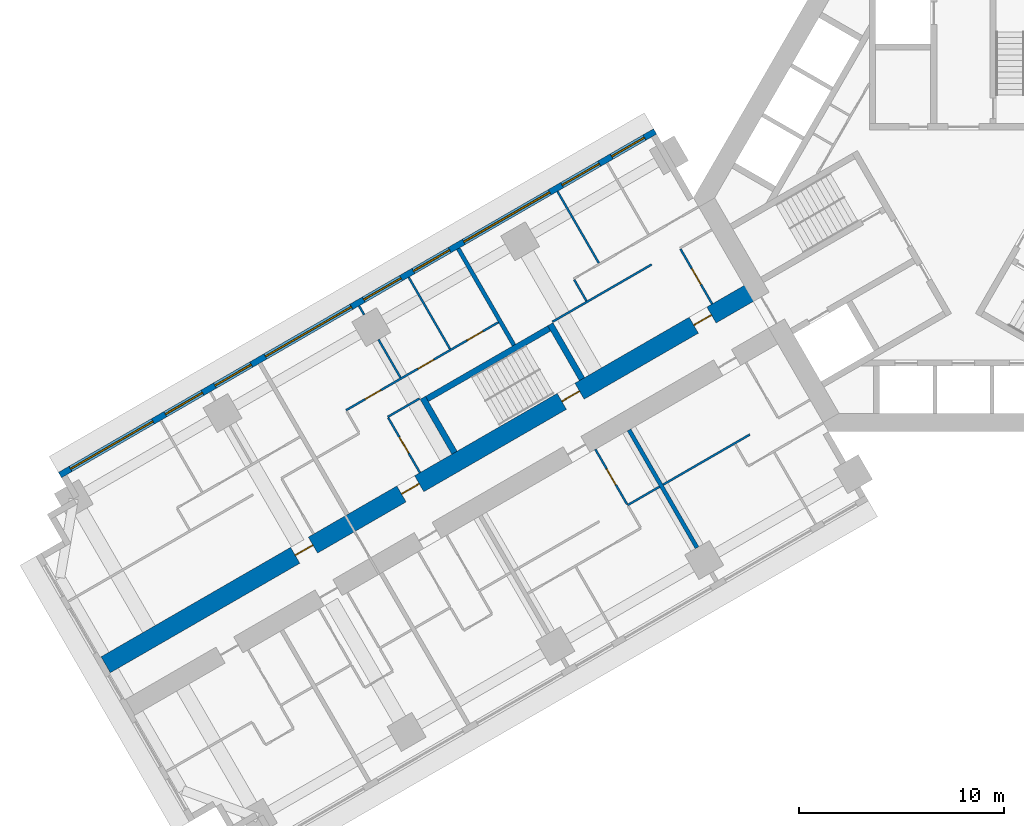
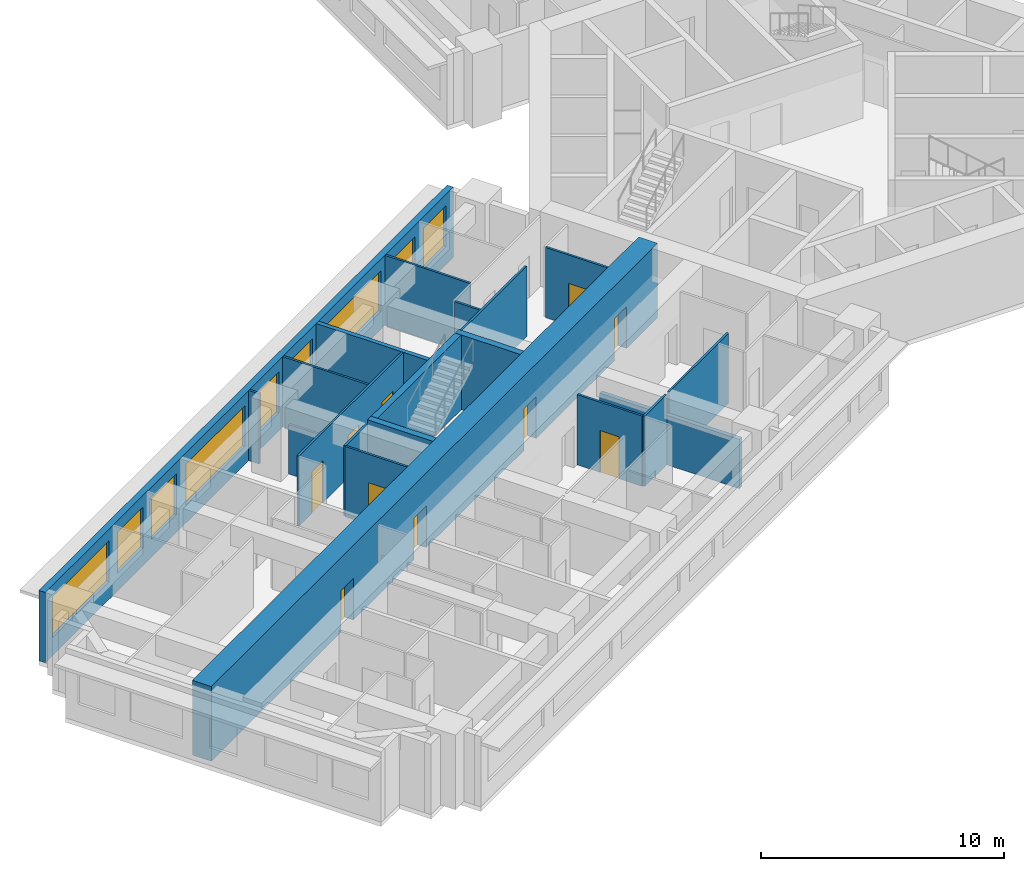
# One storey, part 5 of 16: 20 walls, 10 doors, 9 windows, 19 openings.
"""IFC4 building model written with IfcOpenShell, lengths in metres."""

from ifc_helpers import new_model, si_unit, direction, frame, frame_2d, origin, place, context, subcontext, project, spatial, rectangle, extrude, material, layer, layer_set, type_object, element, fill, save


model = new_model("IFC4")

# Units and contexts
model_context = context("Model", 3, precision=1e-05, world=origin(), true_north=direction((0.0, 1.0)))
body_context = subcontext(model_context, "Body", "Model", "MODEL_VIEW")
ifc_project = project(units=[si_unit("LENGTHUNIT", "METRE"), si_unit("AREAUNIT", "SQUARE_METRE"), si_unit("VOLUMEUNIT", "CUBIC_METRE"), si_unit("PLANEANGLEUNIT", "RADIAN"), si_unit("MASSUNIT", "GRAM", prefix="KILO")], contexts=[model_context])

# Site, building, storey
site_placement = place(None, origin())
site = spatial("IfcSite", under=ifc_project, at=site_placement, CompositionType="ELEMENT")
building_placement = place(site_placement, origin())
building = spatial("IfcBuilding", under=site, at=building_placement, Name="Impinga Residences", CompositionType="ELEMENT")
storey_placement = place(building_placement, frame((0.0, 0.0, 74.75)))
storey = spatial("IfcBuildingStorey", under=building, at=storey_placement, Name="L18", CompositionType="ELEMENT", Elevation=74.75)

# Wall, openings, doors
ifc_material_1 = material(Name="Concrete C70/85", Category="concrete")
ifc_layer_1 = layer(ifc_material_1, 0.89990234375)
ifc_layer_set_1 = layer_set([ifc_layer_1], Name="Concrete C70/85")
wall_type_1 = type_object("IfcWallType", Name="BW1 corridor buttress wall, L05 to L22 900", PredefinedType="SHEAR", material=ifc_layer_set_1)
wall_1_placement = place(storey_placement, frame((-10.1103515625, -4.451416015625, 0.0), z_axis=(0.0, 0.0, 1.0), x_axis=(-0.866025284237, -0.500000207062, 0.0)))
wall_1 = element("IfcWall", 1, at=wall_1_placement, inside=storey, type_object=wall_type_1, Name="Corridor wall BW1 WD L18", PredefinedType="SHEAR", context=body_context, shape_type="SweptSolid", body=[
    extrude(rectangle(XDim=36.75, YDim=0.89990234375, at=frame_2d((18.375, 0.0))), origin(), (0.0, 0.0, 1.0), 3.75),
])
opening_1_placement = place(wall_1_placement, frame((10.0, 0.0, 0.0)))
opening_1 = element("IfcOpeningElement", 2, at=opening_1_placement, cuts=wall_1, Name="Opening D5", PredefinedType="OPENING", context=body_context, shape_type="SweptSolid", body=[
    extrude(rectangle(XDim=1.0, YDim=2.10009765625, at=frame_2d((0.5, 1.050048828125))), frame((0.0, 0.4599609375, 0.0), z_axis=(0.0, -1.0, 0.0), x_axis=(1.0, 0.0, 0.0)), (0.0, 0.0, 1.0), 0.919921875),
])
opening_2_placement = place(wall_1_placement, frame((2.550048828125, 0.0, 0.0)))
opening_2 = element("IfcOpeningElement", 3, at=opening_2_placement, cuts=wall_1, Name="Opening D1", PredefinedType="OPENING", context=body_context, shape_type="SweptSolid", body=[
    extrude(rectangle(XDim=1.0, YDim=2.10009765625, at=frame_2d((0.5, 1.050048828125))), frame((0.0, 0.4599609375, 0.0), z_axis=(0.0, -1.0, 0.0), x_axis=(1.0, 0.0, 0.0)), (0.0, 0.0, 1.0), 0.919921875),
])
opening_3_placement = place(wall_1_placement, frame((19.050048828125, 0.0, 0.0)))
opening_3 = element("IfcOpeningElement", 4, at=opening_3_placement, cuts=wall_1, Name="Opening D1", PredefinedType="OPENING", context=body_context, shape_type="SweptSolid", body=[
    extrude(rectangle(XDim=1.0, YDim=2.10009765625, at=frame_2d((0.5, 1.050048828125))), frame((0.0, 0.4599609375, 0.0), z_axis=(0.0, -1.0, 0.0), x_axis=(1.0, 0.0, 0.0)), (0.0, 0.0, 1.0), 0.919921875),
])
opening_4_placement = place(wall_1_placement, frame((25.050048828125, 0.0, 0.0)))
opening_4 = element("IfcOpeningElement", 5, at=opening_4_placement, cuts=wall_1, Name="Opening D1", PredefinedType="OPENING", context=body_context, shape_type="SweptSolid", body=[
    extrude(rectangle(XDim=1.0, YDim=2.10009765625, at=frame_2d((0.5, 1.050048828125))), frame((0.0, 0.4599609375, 0.0), z_axis=(0.0, -1.0, 0.0), x_axis=(1.0, 0.0, 0.0)), (0.0, 0.0, 1.0), 0.919921875),
])
ifc_material_2 = material(Name="Timber door set", Category="wood")
door_type_1 = type_object("IfcDoorType", Name="D1 apartment entrance door 1000x2100", OperationType="SINGLE_SWING_LEFT", PredefinedType="DOOR", material=ifc_material_2)
door_1_placement = place(opening_2_placement, origin())
door_1 = element("IfcDoor", 6, at=door_1_placement, inside=storey, type_object=door_type_1, Name="Apartment L18-WF1 entrance", OperationType="SINGLE_SWING_LEFT", OverallHeight=2.10009765625, OverallWidth=1.0, PredefinedType="DOOR", context=body_context, shape_type="SweptSolid", body=[
    extrude(rectangle(XDim=1.0, YDim=2.10009765625, at=frame_2d((0.5, 1.050048828125))), frame((0.0, 0.02490234375, 0.0), z_axis=(0.0, -1.0, 0.0), x_axis=(1.0, 0.0, 0.0)), (0.0, 0.0, 1.0), 0.050048828125),
])
fill(opening_2, door_1)
door_2_placement = place(opening_3_placement, origin())
door_2 = element("IfcDoor", 7, at=door_2_placement, inside=storey, type_object=door_type_1, Name="Apartment L18-WF2 entrance", OperationType="SINGLE_SWING_RIGHT", OverallHeight=2.10009765625, OverallWidth=1.0, PredefinedType="DOOR", context=body_context, shape_type="SweptSolid", body=[
    extrude(rectangle(XDim=1.0, YDim=2.10009765625, at=frame_2d((0.5, 1.050048828125))), frame((0.0, 0.02490234375, 0.0), z_axis=(0.0, -1.0, 0.0), x_axis=(1.0, 0.0, 0.0)), (0.0, 0.0, 1.0), 0.050048828125),
])
fill(opening_3, door_2)
door_3_placement = place(opening_4_placement, origin())
door_3 = element("IfcDoor", 8, at=door_3_placement, inside=storey, type_object=door_type_1, Name="Apartment L18-WF3 entrance", OperationType="SINGLE_SWING_RIGHT", OverallHeight=2.10009765625, OverallWidth=1.0, PredefinedType="DOOR", context=body_context, shape_type="SweptSolid", body=[
    extrude(rectangle(XDim=1.0, YDim=2.10009765625, at=frame_2d((0.5, 1.050048828125))), frame((0.0, 0.02490234375, 0.0), z_axis=(0.0, -1.0, 0.0), x_axis=(1.0, 0.0, 0.0)), (0.0, 0.0, 1.0), 0.050048828125),
])
fill(opening_4, door_3)
door_type_2 = type_object("IfcDoorType", Name="D5 stair door 1000x2100", OperationType="SINGLE_SWING_LEFT", PredefinedType="DOOR", material=ifc_material_2)
door_4_placement = place(opening_1_placement, origin())
door_4 = element("IfcDoor", 9, at=door_4_placement, inside=storey, type_object=door_type_2, Name="Wing stair door W", OperationType="SINGLE_SWING_LEFT", OverallHeight=2.10009765625, OverallWidth=1.0, PredefinedType="DOOR", context=body_context, shape_type="SweptSolid", body=[
    extrude(rectangle(XDim=1.0, YDim=2.10009765625, at=frame_2d((0.5, 1.050048828125))), frame((0.0, 0.02490234375, 0.0), z_axis=(0.0, -1.0, 0.0), x_axis=(1.0, 0.0, 0.0)), (0.0, 0.0, 1.0), 0.050048828125),
])
fill(opening_1, door_4)

# Wall, openings, windows
ifc_material_3 = material(Name="Terracotta rainscreen on blockwork", Category="masonry")
ifc_layer_2 = layer(ifc_material_3, 0.300048828125)
ifc_layer_set_2 = layer_set([ifc_layer_2], Name="EW1 external wall, terracotta rainscreen on blockwork 300")
wall_type_2 = type_object("IfcWallType", Name="EW1 external wall, terracotta rainscreen on blockwork 300", PredefinedType="SOLIDWALL", material=ifc_layer_set_2)
wall_2_placement = place(storey_placement, frame((-44.17333984375, -13.552490234375, 0.0), z_axis=(0.0, 0.0, 1.0), x_axis=(0.866024291668, 0.500001926238, 0.0)))
wall_2 = element("IfcWall", 10, at=wall_2_placement, inside=storey, type_object=wall_type_2, Name="External wall EW1 L18", PredefinedType="SOLIDWALL", context=body_context, shape_type="SweptSolid", body=[
    extrude(rectangle(XDim=33.599853515625, YDim=0.300048828125, at=frame_2d((16.7998046875, 0.0))), origin(), (0.0, 0.0, 1.0), 3.530029296875),
])
opening_5_placement = place(wall_2_placement, frame((0.60009765625, 0.0, 0.89990234375)))
opening_5 = element("IfcOpeningElement", 11, at=opening_5_placement, cuts=wall_2, Name="Opening W10", PredefinedType="OPENING", context=body_context, shape_type="SweptSolid", body=[
    extrude(rectangle(XDim=4.64990234375, YDim=2.050048828125, at=frame_2d((2.324951171875, 1.02490234375))), frame((0.0, 0.159912109375, 0.0), z_axis=(0.0, -1.0, 0.0), x_axis=(1.0, 0.0, 0.0)), (0.0, 0.0, 1.0), 0.320068359375),
])
opening_6_placement = place(wall_2_placement, frame((5.949951171875, 0.0, 0.89990234375)))
opening_6 = element("IfcOpeningElement", 12, at=opening_6_placement, cuts=wall_2, Name="Opening W9", PredefinedType="OPENING", context=body_context, shape_type="SweptSolid", body=[
    extrude(rectangle(XDim=2.10009765625, YDim=2.050048828125, at=frame_2d((1.050048828125, 1.02490234375))), frame((0.0, 0.159912109375, 0.0), z_axis=(0.0, -1.0, 0.0), x_axis=(1.0, 0.0, 0.0)), (0.0, 0.0, 1.0), 0.320068359375),
])
opening_7_placement = place(wall_2_placement, frame((8.75, 0.0, 0.89990234375)))
opening_7 = element("IfcOpeningElement", 13, at=opening_7_placement, cuts=wall_2, Name="Opening W14", PredefinedType="OPENING", context=body_context, shape_type="SweptSolid", body=[
    extrude(rectangle(XDim=2.050048828125, YDim=2.050048828125, at=frame_2d((1.02490234375, 1.02490234375))), frame((0.0, 0.159912109375, 0.0), z_axis=(0.0, -1.0, 0.0), x_axis=(1.0, 0.0, 0.0)), (0.0, 0.0, 1.0), 0.320068359375),
])
opening_8_placement = place(wall_2_placement, frame((11.60009765625, 0.0, 0.89990234375)))
opening_8 = element("IfcOpeningElement", 14, at=opening_8_placement, cuts=wall_2, Name="Opening W6", PredefinedType="OPENING", context=body_context, shape_type="SweptSolid", body=[
    extrude(rectangle(XDim=4.85009765625, YDim=2.050048828125, at=frame_2d((2.425048828125, 1.02490234375))), frame((0.0, 0.159912109375, 0.0), z_axis=(0.0, -1.0, 0.0), x_axis=(1.0, 0.0, 0.0)), (0.0, 0.0, 1.0), 0.320068359375),
])
opening_9_placement = place(wall_2_placement, frame((17.14990234375, 0.0, 0.89990234375)))
opening_9 = element("IfcOpeningElement", 15, at=opening_9_placement, cuts=wall_2, Name="Opening W9", PredefinedType="OPENING", context=body_context, shape_type="SweptSolid", body=[
    extrude(rectangle(XDim=2.10009765625, YDim=2.050048828125, at=frame_2d((1.050048828125, 1.02490234375))), frame((0.0, 0.159912109375, 0.0), z_axis=(0.0, -1.0, 0.0), x_axis=(1.0, 0.0, 0.0)), (0.0, 0.0, 1.0), 0.320068359375),
])
opening_10_placement = place(wall_2_placement, frame((19.949951171875, 0.0, 0.89990234375)))
opening_10 = element("IfcOpeningElement", 16, at=opening_10_placement, cuts=wall_2, Name="Opening W14", PredefinedType="OPENING", context=body_context, shape_type="SweptSolid", body=[
    extrude(rectangle(XDim=2.050048828125, YDim=2.050048828125, at=frame_2d((1.02490234375, 1.02490234375))), frame((0.0, 0.159912109375, 0.0), z_axis=(0.0, -1.0, 0.0), x_axis=(1.0, 0.0, 0.0)), (0.0, 0.0, 1.0), 0.320068359375),
])
opening_11_placement = place(wall_2_placement, frame((22.800048828125, 0.0, 0.89990234375)))
opening_11 = element("IfcOpeningElement", 17, at=opening_11_placement, cuts=wall_2, Name="Opening W6", PredefinedType="OPENING", context=body_context, shape_type="SweptSolid", body=[
    extrude(rectangle(XDim=4.85009765625, YDim=2.050048828125, at=frame_2d((2.425048828125, 1.02490234375))), frame((0.0, 0.159912109375, 0.0), z_axis=(0.0, -1.0, 0.0), x_axis=(1.0, 0.0, 0.0)), (0.0, 0.0, 1.0), 0.320068359375),
])
opening_12_placement = place(wall_2_placement, frame((28.35009765625, 0.0, 0.89990234375)))
opening_12 = element("IfcOpeningElement", 18, at=opening_12_placement, cuts=wall_2, Name="Opening W9", PredefinedType="OPENING", context=body_context, shape_type="SweptSolid", body=[
    extrude(rectangle(XDim=2.10009765625, YDim=2.050048828125, at=frame_2d((1.050048828125, 1.02490234375))), frame((0.0, 0.159912109375, 0.0), z_axis=(0.0, -1.0, 0.0), x_axis=(1.0, 0.0, 0.0)), (0.0, 0.0, 1.0), 0.320068359375),
])
opening_13_placement = place(wall_2_placement, frame((31.14990234375, 0.0, 0.89990234375)))
opening_13 = element("IfcOpeningElement", 19, at=opening_13_placement, cuts=wall_2, Name="Opening W15", PredefinedType="OPENING", context=body_context, shape_type="SweptSolid", body=[
    extrude(rectangle(XDim=1.85009765625, YDim=2.050048828125, at=frame_2d((0.925048828125, 1.02490234375))), frame((0.0, 0.159912109375, 0.0), z_axis=(0.0, -1.0, 0.0), x_axis=(1.0, 0.0, 0.0)), (0.0, 0.0, 1.0), 0.320068359375),
])
ifc_material_4 = material(Name="Aluminium window, clear double glazing", Category="aluminium")
window_type_1 = type_object("IfcWindowType", Name="W10 ribbon window 4650x2050", PartitioningType="SINGLE_PANEL", PredefinedType="WINDOW", material=ifc_material_4)
window_1_placement = place(opening_5_placement, origin())
window_1 = element("IfcWindow", 20, at=window_1_placement, inside=storey, type_object=window_type_1, Name="Window L18", OverallHeight=2.050048828125, OverallWidth=4.64990234375, PartitioningType="SINGLE_PANEL", PredefinedType="WINDOW", context=body_context, shape_type="SweptSolid", body=[
    extrude(rectangle(XDim=4.64990234375, YDim=2.050048828125, at=frame_2d((2.324951171875, 1.02490234375))), frame((0.0, 0.030029296875, 0.0), z_axis=(0.0, -1.0, 0.0), x_axis=(1.0, 0.0, 0.0)), (0.0, 0.0, 1.0), 0.06005859375),
])
fill(opening_5, window_1)
window_type_2 = type_object("IfcWindowType", Name="W14 ribbon window 2050x2050", PartitioningType="SINGLE_PANEL", PredefinedType="WINDOW", material=ifc_material_4)
window_2_placement = place(opening_7_placement, origin())
window_2 = element("IfcWindow", 21, at=window_2_placement, inside=storey, type_object=window_type_2, Name="Window L18", OverallHeight=2.050048828125, OverallWidth=2.050048828125, PartitioningType="SINGLE_PANEL", PredefinedType="WINDOW", context=body_context, shape_type="SweptSolid", body=[
    extrude(rectangle(XDim=2.050048828125, YDim=2.050048828125, at=frame_2d((1.02490234375, 1.02490234375))), frame((0.0, 0.030029296875, 0.0), z_axis=(0.0, -1.0, 0.0), x_axis=(1.0, 0.0, 0.0)), (0.0, 0.0, 1.0), 0.06005859375),
])
fill(opening_7, window_2)
window_3_placement = place(opening_10_placement, origin())
window_3 = element("IfcWindow", 22, at=window_3_placement, inside=storey, type_object=window_type_2, Name="Window L18", OverallHeight=2.050048828125, OverallWidth=2.050048828125, PartitioningType="SINGLE_PANEL", PredefinedType="WINDOW", context=body_context, shape_type="SweptSolid", body=[
    extrude(rectangle(XDim=2.050048828125, YDim=2.050048828125, at=frame_2d((1.02490234375, 1.02490234375))), frame((0.0, 0.030029296875, 0.0), z_axis=(0.0, -1.0, 0.0), x_axis=(1.0, 0.0, 0.0)), (0.0, 0.0, 1.0), 0.06005859375),
])
fill(opening_10, window_3)
window_type_3 = type_object("IfcWindowType", Name="W15 ribbon window 1850x2050", PartitioningType="SINGLE_PANEL", PredefinedType="WINDOW", material=ifc_material_4)
window_4_placement = place(opening_13_placement, origin())
window_4 = element("IfcWindow", 23, at=window_4_placement, inside=storey, type_object=window_type_3, Name="Window L18", OverallHeight=2.050048828125, OverallWidth=1.85009765625, PartitioningType="SINGLE_PANEL", PredefinedType="WINDOW", context=body_context, shape_type="SweptSolid", body=[
    extrude(rectangle(XDim=1.85009765625, YDim=2.050048828125, at=frame_2d((0.925048828125, 1.02490234375))), frame((0.0, 0.030029296875, 0.0), z_axis=(0.0, -1.0, 0.0), x_axis=(1.0, 0.0, 0.0)), (0.0, 0.0, 1.0), 0.06005859375),
])
fill(opening_13, window_4)
window_type_4 = type_object("IfcWindowType", Name="W6 ribbon window 4850x2050", PartitioningType="SINGLE_PANEL", PredefinedType="WINDOW", material=ifc_material_4)
window_5_placement = place(opening_8_placement, origin())
window_5 = element("IfcWindow", 24, at=window_5_placement, inside=storey, type_object=window_type_4, Name="Window L18", OverallHeight=2.050048828125, OverallWidth=4.85009765625, PartitioningType="SINGLE_PANEL", PredefinedType="WINDOW", context=body_context, shape_type="SweptSolid", body=[
    extrude(rectangle(XDim=4.85009765625, YDim=2.050048828125, at=frame_2d((2.425048828125, 1.02490234375))), frame((0.0, 0.030029296875, 0.0), z_axis=(0.0, -1.0, 0.0), x_axis=(1.0, 0.0, 0.0)), (0.0, 0.0, 1.0), 0.06005859375),
])
fill(opening_8, window_5)
window_6_placement = place(opening_11_placement, origin())
window_6 = element("IfcWindow", 25, at=window_6_placement, inside=storey, type_object=window_type_4, Name="Window L18", OverallHeight=2.050048828125, OverallWidth=4.85009765625, PartitioningType="SINGLE_PANEL", PredefinedType="WINDOW", context=body_context, shape_type="SweptSolid", body=[
    extrude(rectangle(XDim=4.85009765625, YDim=2.050048828125, at=frame_2d((2.425048828125, 1.02490234375))), frame((0.0, 0.030029296875, 0.0), z_axis=(0.0, -1.0, 0.0), x_axis=(1.0, 0.0, 0.0)), (0.0, 0.0, 1.0), 0.06005859375),
])
fill(opening_11, window_6)
window_type_5 = type_object("IfcWindowType", Name="W9 ribbon window 2100x2050", PartitioningType="SINGLE_PANEL", PredefinedType="WINDOW", material=ifc_material_4)
window_7_placement = place(opening_6_placement, origin())
window_7 = element("IfcWindow", 26, at=window_7_placement, inside=storey, type_object=window_type_5, Name="Window L18", OverallHeight=2.050048828125, OverallWidth=2.10009765625, PartitioningType="SINGLE_PANEL", PredefinedType="WINDOW", context=body_context, shape_type="SweptSolid", body=[
    extrude(rectangle(XDim=2.10009765625, YDim=2.050048828125, at=frame_2d((1.050048828125, 1.02490234375))), frame((0.0, 0.030029296875, 0.0), z_axis=(0.0, -1.0, 0.0), x_axis=(1.0, 0.0, 0.0)), (0.0, 0.0, 1.0), 0.06005859375),
])
fill(opening_6, window_7)
window_8_placement = place(opening_9_placement, origin())
window_8 = element("IfcWindow", 27, at=window_8_placement, inside=storey, type_object=window_type_5, Name="Window L18", OverallHeight=2.050048828125, OverallWidth=2.10009765625, PartitioningType="SINGLE_PANEL", PredefinedType="WINDOW", context=body_context, shape_type="SweptSolid", body=[
    extrude(rectangle(XDim=2.10009765625, YDim=2.050048828125, at=frame_2d((1.050048828125, 1.02490234375))), frame((0.0, 0.030029296875, 0.0), z_axis=(0.0, -1.0, 0.0), x_axis=(1.0, 0.0, 0.0)), (0.0, 0.0, 1.0), 0.06005859375),
])
fill(opening_9, window_8)
window_9_placement = place(opening_12_placement, origin())
window_9 = element("IfcWindow", 28, at=window_9_placement, inside=storey, type_object=window_type_5, Name="Window L18", OverallHeight=2.050048828125, OverallWidth=2.10009765625, PartitioningType="SINGLE_PANEL", PredefinedType="WINDOW", context=body_context, shape_type="SweptSolid", body=[
    extrude(rectangle(XDim=2.10009765625, YDim=2.050048828125, at=frame_2d((1.050048828125, 1.02490234375))), frame((0.0, 0.030029296875, 0.0), z_axis=(0.0, -1.0, 0.0), x_axis=(1.0, 0.0, 0.0)), (0.0, 0.0, 1.0), 0.06005859375),
])
fill(opening_12, window_9)

# Walls
ifc_material_5 = material(Name="Gypsum board on steel studs", Category="steel")
ifc_layer_3 = layer(ifc_material_5, 0.10009765625)
ifc_layer_set_3 = layer_set([ifc_layer_3], Name="Gypsum board on steel studs")
wall_type_3 = type_object("IfcWallType", Name="IP1 partition 100", PredefinedType="PARTITIONING", material=ifc_layer_set_3)
wall_3_placement = place(storey_placement, frame((-10.444580078125, -11.57275390625, 0.0), z_axis=(0.0, 0.0, 1.0), x_axis=(-0.866023786258, -0.500002801628, 0.0)))
element("IfcWall", 29, at=wall_3_placement, inside=storey, type_object=wall_type_3, Name="Partition L18-WA1:DIV1", PredefinedType="PARTITIONING", context=body_context, shape_type="SweptSolid", body=[
    extrude(rectangle(XDim=4.89990234375, YDim=0.10009765625, at=frame_2d((2.449951171875, 0.0))), origin(), (0.0, 0.0, 1.0), 3.530029296875),
])
wall_4_placement = place(storey_placement, frame((-14.861328125, -14.122802734375, 0.0), z_axis=(0.0, 0.0, 1.0), x_axis=(-0.866047807691, -0.499961193289, 0.0)))
element("IfcWall", 30, at=wall_4_placement, inside=storey, type_object=wall_type_3, Name="Partition L18-WA2:DIV0", PredefinedType="PARTITIONING", context=body_context, shape_type="SweptSolid", body=[
    extrude(rectangle(XDim=1.800048828125, YDim=0.10009765625, at=frame_2d((0.89990234375, 0.0))), origin(), (0.0, 0.0, 1.0), 3.530029296875),
])

# Wall, opening, door
wall_5_placement = place(storey_placement, frame((-17.9951171875, -12.294677734375, 0.0), z_axis=(0.0, 0.0, 1.0), x_axis=(0.49999285859, -0.86602952684, 0.0)))
wall_5 = element("IfcWall", 31, at=wall_5_placement, inside=storey, type_object=wall_type_3, Name="Partition L18-WA2:IB1", PredefinedType="PARTITIONING", context=body_context, shape_type="SweptSolid", body=[
    extrude(rectangle(XDim=3.10009765625, YDim=0.10009765625, at=frame_2d((1.550048828125, 0.0))), origin(), (0.0, 0.0, 1.0), 3.530029296875),
])
opening_14_placement = place(wall_5_placement, frame((1.10009765625, 0.0, 0.0)))
opening_14 = element("IfcOpeningElement", 32, at=opening_14_placement, cuts=wall_5, Name="Opening D2", PredefinedType="OPENING", context=body_context, shape_type="SweptSolid", body=[
    extrude(rectangle(XDim=0.89990234375, YDim=2.10009765625, at=frame_2d((0.449951171875, 1.050048828125))), frame((0.0, 0.06005859375, 0.0), z_axis=(0.0, -1.0, 0.0), x_axis=(1.0, 0.0, 0.0)), (0.0, 0.0, 1.0), 0.1201171875),
])
door_type_3 = type_object("IfcDoorType", Name="D2 internal door 900x2100", OperationType="SINGLE_SWING_LEFT", PredefinedType="DOOR", material=ifc_material_2)
door_5_placement = place(opening_14_placement, origin())
door_5 = element("IfcDoor", 33, at=door_5_placement, inside=storey, type_object=door_type_3, Name="Apartment L18-WA2 bathroom door", OperationType="SINGLE_SWING_LEFT", OverallHeight=2.10009765625, OverallWidth=0.89990234375, PredefinedType="DOOR", context=body_context, shape_type="SweptSolid", body=[
    extrude(rectangle(XDim=0.89990234375, YDim=2.10009765625, at=frame_2d((0.449951171875, 1.050048828125))), frame((0.0, 0.02490234375, 0.0), z_axis=(0.0, -1.0, 0.0), x_axis=(1.0, 0.0, 0.0)), (0.0, 0.0, 1.0), 0.050048828125),
])
fill(opening_14, door_5)

# Walls
wall_6_placement = place(storey_placement, frame((-15.244384765625, -3.2587890625, 0.0), z_axis=(0.0, 0.0, 1.0), x_axis=(-0.866026594901, -0.49999793692, 0.0)))
element("IfcWall", 34, at=wall_6_placement, inside=storey, type_object=wall_type_3, Name="Partition L18-WF1:DIV1", PredefinedType="PARTITIONING", context=body_context, shape_type="SweptSolid", body=[
    extrude(rectangle(XDim=5.60009765625, YDim=0.10009765625, at=frame_2d((2.800048828125, 0.0))), origin(), (0.0, 0.0, 1.0), 3.530029296875),
])
wall_7_placement = place(storey_placement, frame((-18.430419921875, -5.04052734375, 0.0), z_axis=(0.0, 0.0, 1.0), x_axis=(-0.500033551112, 0.866006032174, 0.0)))
element("IfcWall", 35, at=wall_7_placement, inside=storey, type_object=wall_type_3, Name="Partition L18-WF1:SE1", PredefinedType="PARTITIONING", context=body_context, shape_type="SweptSolid", body=[
    extrude(rectangle(XDim=1.2001953125, YDim=0.10009765625, at=frame_2d((0.60009765625, 0.0))), origin(), (0.0, 0.0, 1.0), 3.530029296875),
])

# Wall, opening, door
wall_8_placement = place(storey_placement, frame((-12.283935546875, -5.186767578125, 0.0), z_axis=(0.0, 0.0, 1.0), x_axis=(-0.499967891604, 0.866043940782, 0.0)))
wall_8 = element("IfcWall", 36, at=wall_8_placement, inside=storey, type_object=wall_type_3, Name="Partition L18-WF1:IB1", PredefinedType="PARTITIONING", context=body_context, shape_type="SweptSolid", body=[
    extrude(rectangle(XDim=3.099853515625, YDim=0.10009765625, at=frame_2d((1.5498046875, 0.0))), origin(), (0.0, 0.0, 1.0), 3.530029296875),
])
opening_15_placement = place(wall_8_placement, frame((1.10009765625, 0.0, 0.0)))
opening_15 = element("IfcOpeningElement", 37, at=opening_15_placement, cuts=wall_8, Name="Opening D2", PredefinedType="OPENING", context=body_context, shape_type="SweptSolid", body=[
    extrude(rectangle(XDim=0.89990234375, YDim=2.10009765625, at=frame_2d((0.449951171875, 1.050048828125))), frame((0.0, 0.06005859375, 0.0), z_axis=(0.0, -1.0, 0.0), x_axis=(1.0, 0.0, 0.0)), (0.0, 0.0, 1.0), 0.1201171875),
])
door_6_placement = place(opening_15_placement, origin())
door_6 = element("IfcDoor", 38, at=door_6_placement, inside=storey, type_object=door_type_3, Name="Apartment L18-WF1 bathroom door", OperationType="SINGLE_SWING_LEFT", OverallHeight=2.10009765625, OverallWidth=0.89990234375, PredefinedType="DOOR", context=body_context, shape_type="SweptSolid", body=[
    extrude(rectangle(XDim=0.89990234375, YDim=2.10009765625, at=frame_2d((0.449951171875, 1.050048828125))), frame((0.0, 0.02490234375, 0.0), z_axis=(0.0, -1.0, 0.0), x_axis=(1.0, 0.0, 0.0)), (0.0, 0.0, 1.0), 0.050048828125),
])
fill(opening_15, door_6)

# Walls
wall_9_placement = place(storey_placement, frame((-17.82470703125, -3.189697265625, 0.0), z_axis=(0.0, 0.0, 1.0), x_axis=(-0.500035537042, 0.866004885491, 0.0)))
element("IfcWall", 39, at=wall_9_placement, inside=storey, type_object=wall_type_3, Name="Partition L18-WF1:OB2", PredefinedType="PARTITIONING", context=body_context, shape_type="SweptSolid", body=[
    extrude(rectangle(XDim=4.050048828125, YDim=0.10009765625, at=frame_2d((2.02490234375, 0.0))), origin(), (0.0, 0.0, 1.0), 3.530029296875),
])
wall_10_placement = place(storey_placement, frame((-26.58935546875, -9.808837890625, 0.0), z_axis=(0.0, 0.0, 1.0), x_axis=(-0.866047807691, -0.499961193289, 0.0)))
element("IfcWall", 40, at=wall_10_placement, inside=storey, type_object=wall_type_3, Name="Partition L18-WF2:DIV0", PredefinedType="PARTITIONING", context=body_context, shape_type="SweptSolid", body=[
    extrude(rectangle(XDim=1.800048828125, YDim=0.10009765625, at=frame_2d((0.89990234375, 0.0))), origin(), (0.0, 0.0, 1.0), 3.530029296875),
])

# Wall, openings, doors
wall_11_placement = place(storey_placement, frame((-22.736083984375, -6.0830078125, 0.0), z_axis=(0.0, 0.0, 1.0), x_axis=(-0.866021068297, -0.500007509209, 0.0)))
wall_11 = element("IfcWall", 41, at=wall_11_placement, inside=storey, type_object=wall_type_3, Name="Partition L18-WF2:STRIP", PredefinedType="PARTITIONING", context=body_context, shape_type="SweptSolid", body=[
    extrude(rectangle(XDim=8.599853515625, YDim=0.10009765625, at=frame_2d((4.2998046875, 0.0))), origin(), (0.0, 0.0, 1.0), 3.530029296875),
])
opening_16_placement = place(wall_11_placement, frame((0.875, 0.0, 0.0)))
opening_16 = element("IfcOpeningElement", 42, at=opening_16_placement, cuts=wall_11, Name="Opening D2", PredefinedType="OPENING", context=body_context, shape_type="SweptSolid", body=[
    extrude(rectangle(XDim=0.89990234375, YDim=2.10009765625, at=frame_2d((0.449951171875, 1.050048828125))), frame((0.0, 0.06005859375, 0.0), z_axis=(0.0, -1.0, 0.0), x_axis=(1.0, 0.0, 0.0)), (0.0, 0.0, 1.0), 0.1201171875),
])
opening_17_placement = place(wall_11_placement, frame((3.64990234375, 0.0, 0.0)))
opening_17 = element("IfcOpeningElement", 43, at=opening_17_placement, cuts=wall_11, Name="Opening D2", PredefinedType="OPENING", context=body_context, shape_type="SweptSolid", body=[
    extrude(rectangle(XDim=0.89990234375, YDim=2.10009765625, at=frame_2d((0.449951171875, 1.050048828125))), frame((0.0, 0.06005859375, 0.0), z_axis=(0.0, -1.0, 0.0), x_axis=(1.0, 0.0, 0.0)), (0.0, 0.0, 1.0), 0.1201171875),
])
opening_18_placement = place(wall_11_placement, frame((6.625, 0.0, 0.0)))
opening_18 = element("IfcOpeningElement", 44, at=opening_18_placement, cuts=wall_11, Name="Opening D2", PredefinedType="OPENING", context=body_context, shape_type="SweptSolid", body=[
    extrude(rectangle(XDim=0.89990234375, YDim=2.10009765625, at=frame_2d((0.449951171875, 1.050048828125))), frame((0.0, 0.06005859375, 0.0), z_axis=(0.0, -1.0, 0.0), x_axis=(1.0, 0.0, 0.0)), (0.0, 0.0, 1.0), 0.1201171875),
])
door_7_placement = place(opening_16_placement, origin())
door_7 = element("IfcDoor", 45, at=door_7_placement, inside=storey, type_object=door_type_3, Name="Apartment L18-WF2 room door", OperationType="SINGLE_SWING_LEFT", OverallHeight=2.10009765625, OverallWidth=0.89990234375, PredefinedType="DOOR", context=body_context, shape_type="SweptSolid", body=[
    extrude(rectangle(XDim=0.89990234375, YDim=2.10009765625, at=frame_2d((0.449951171875, 1.050048828125))), frame((0.0, 0.02490234375, 0.0), z_axis=(0.0, -1.0, 0.0), x_axis=(1.0, 0.0, 0.0)), (0.0, 0.0, 1.0), 0.050048828125),
])
fill(opening_16, door_7)
door_8_placement = place(opening_17_placement, origin())
door_8 = element("IfcDoor", 46, at=door_8_placement, inside=storey, type_object=door_type_3, Name="Apartment L18-WF2 room door", OperationType="SINGLE_SWING_LEFT", OverallHeight=2.10009765625, OverallWidth=0.89990234375, PredefinedType="DOOR", context=body_context, shape_type="SweptSolid", body=[
    extrude(rectangle(XDim=0.89990234375, YDim=2.10009765625, at=frame_2d((0.449951171875, 1.050048828125))), frame((0.0, 0.02490234375, 0.0), z_axis=(0.0, -1.0, 0.0), x_axis=(1.0, 0.0, 0.0)), (0.0, 0.0, 1.0), 0.050048828125),
])
fill(opening_17, door_8)
door_9_placement = place(opening_18_placement, origin())
door_9 = element("IfcDoor", 47, at=door_9_placement, inside=storey, type_object=door_type_3, Name="Apartment L18-WF2 room door", OperationType="SINGLE_SWING_RIGHT", OverallHeight=2.10009765625, OverallWidth=0.89990234375, PredefinedType="DOOR", context=body_context, shape_type="SweptSolid", body=[
    extrude(rectangle(XDim=0.89990234375, YDim=2.10009765625, at=frame_2d((0.449951171875, 1.050048828125))), frame((0.0, 0.02490234375, 0.0), z_axis=(0.0, -1.0, 0.0), x_axis=(1.0, 0.0, 0.0)), (0.0, 0.0, 1.0), 0.050048828125),
])
fill(opening_18, door_9)

# Wall, opening, door
wall_12_placement = place(storey_placement, frame((-26.5732421875, -13.436767578125, 0.0), z_axis=(0.0, 0.0, 1.0), x_axis=(-0.500026960575, 0.86600983753, 0.0)))
wall_12 = element("IfcWall", 48, at=wall_12_placement, inside=storey, type_object=wall_type_3, Name="Partition L18-WF2:IB1", PredefinedType="PARTITIONING", context=body_context, shape_type="SweptSolid", body=[
    extrude(rectangle(XDim=3.099853515625, YDim=0.10009765625, at=frame_2d((1.5498046875, 0.0))), origin(), (0.0, 0.0, 1.0), 3.530029296875),
])
opening_19_placement = place(wall_12_placement, frame((1.10009765625, 0.0, 0.0)))
opening_19 = element("IfcOpeningElement", 49, at=opening_19_placement, cuts=wall_12, Name="Opening D2", PredefinedType="OPENING", context=body_context, shape_type="SweptSolid", body=[
    extrude(rectangle(XDim=0.89990234375, YDim=2.10009765625, at=frame_2d((0.449951171875, 1.050048828125))), frame((0.0, 0.06005859375, 0.0), z_axis=(0.0, -1.0, 0.0), x_axis=(1.0, 0.0, 0.0)), (0.0, 0.0, 1.0), 0.1201171875),
])
door_10_placement = place(opening_19_placement, origin())
door_10 = element("IfcDoor", 50, at=door_10_placement, inside=storey, type_object=door_type_3, Name="Apartment L18-WF2 bathroom door", OperationType="SINGLE_SWING_LEFT", OverallHeight=2.10009765625, OverallWidth=0.89990234375, PredefinedType="DOOR", context=body_context, shape_type="SweptSolid", body=[
    extrude(rectangle(XDim=0.89990234375, YDim=2.10009765625, at=frame_2d((0.449951171875, 1.050048828125))), frame((0.0, 0.02490234375, 0.0), z_axis=(0.0, -1.0, 0.0), x_axis=(1.0, 0.0, 0.0)), (0.0, 0.0, 1.0), 0.050048828125),
])
fill(opening_19, door_10)

# Walls
wall_13_placement = place(storey_placement, frame((-25.099365234375, -7.3896484375, 0.0), z_axis=(0.0, 0.0, 1.0), x_axis=(-0.499990325971, 0.866030989016, 0.0)))
element("IfcWall", 51, at=wall_13_placement, inside=storey, type_object=wall_type_3, Name="Partition L18-WF2:OB1", PredefinedType="PARTITIONING", context=body_context, shape_type="SweptSolid", body=[
    extrude(rectangle(XDim=4.0498046875, YDim=0.10009765625, at=frame_2d((2.02490234375, 0.0))), origin(), (0.0, 0.0, 1.0), 3.530029296875),
])
wall_14_placement = place(storey_placement, frame((-27.524169921875, -8.789794921875, 0.0), z_axis=(0.0, 0.0, 1.0), x_axis=(-0.499961633463, 0.866047553582, 0.0)))
element("IfcWall", 52, at=wall_14_placement, inside=storey, type_object=wall_type_3, Name="Partition L18-WF2:OB2", PredefinedType="PARTITIONING", context=body_context, shape_type="SweptSolid", body=[
    extrude(rectangle(XDim=2.150146484375, YDim=0.10009765625, at=frame_2d((1.0751953125, 0.0))), origin(), (0.0, 0.0, 1.0), 2.47998046875),
])
wall_15_placement = place(storey_placement, frame((-29.29931640625, -5.71533203125, 0.0), z_axis=(0.0, 0.0, 1.0), x_axis=(-0.499919672301, 0.866071776036, 0.0)))
element("IfcWall", 53, at=wall_15_placement, inside=storey, type_object=wall_type_3, Name="Partition L18-WF2:OB2b", PredefinedType="PARTITIONING", context=body_context, shape_type="SweptSolid", body=[
    extrude(rectangle(XDim=0.5, YDim=0.10009765625, at=frame_2d((0.25, 0.0))), origin(), (0.0, 0.0, 1.0), 3.530029296875),
])
ifc_material_6 = material(Name="Concrete blockwork", Category="masonry")
ifc_layer_4 = layer(ifc_material_6, 0.199951171875)
ifc_layer_set_4 = layer_set([ifc_layer_4], Name="PW1 party wall between apartments 200")
wall_type_4 = type_object("IfcWallType", Name="PW1 party wall between apartments 200", PredefinedType="SOLIDWALL", material=ifc_layer_set_4)
wall_16_placement = place(storey_placement, frame((-16.349609375, -11.3447265625, 0.0), z_axis=(0.0, 0.0, 1.0), x_axis=(0.49999681972, -0.866027239912, 0.0)))
element("IfcWall", 54, at=wall_16_placement, inside=storey, type_object=wall_type_4, Name="Party wall between apartments L18-WA1:PARTY", PredefinedType="SOLIDWALL", context=body_context, shape_type="SweptSolid", body=[
    extrude(rectangle(XDim=6.64990234375, YDim=0.199951171875, at=frame_2d((3.324951171875, 0.0))), origin(), (0.0, 0.0, 1.0), 2.47998046875),
])
wall_17_placement = place(storey_placement, frame((-21.974365234375, -7.2021484375, 0.0), z_axis=(0.0, 0.0, 1.0), x_axis=(-0.500022328685, 0.866012511928, 0.0)))
element("IfcWall", 55, at=wall_17_placement, inside=storey, type_object=wall_type_4, Name="Party wall between apartments L18-WF1:PARTY", PredefinedType="SOLIDWALL", context=body_context, shape_type="SweptSolid", body=[
    extrude(rectangle(XDim=5.449951171875, YDim=0.199951171875, at=frame_2d((2.72509765625, 0.0))), origin(), (0.0, 0.0, 1.0), 3.530029296875),
])
ifc_material_7 = material(Name="Concrete C60/75", Category="concrete")
ifc_layer_5 = layer(ifc_material_7, 0.300048828125)
ifc_layer_set_5 = layer_set([ifc_layer_5], Name="Concrete C60/75")
wall_type_5 = type_object("IfcWallType", Name="SE1 wing stair enclosure wall 300", PredefinedType="SOLIDWALL", material=ifc_layer_set_5)
wall_18_placement = place(storey_placement, frame((-18.649169921875, -8.86181640625, 0.0), z_axis=(0.0, 0.0, 1.0), x_axis=(-0.500026960575, 0.86600983753, 0.0)))
element("IfcWall", 56, at=wall_18_placement, inside=storey, type_object=wall_type_5, Name="Stair enclosure wall SE1 W END0 L18", PredefinedType="SOLIDWALL", context=body_context, shape_type="SweptSolid", body=[
    extrude(rectangle(XDim=3.099853515625, YDim=0.300048828125, at=frame_2d((1.5498046875, 0.0))), origin(), (0.0, 0.0, 1.0), 3.75),
])
wall_19_placement = place(storey_placement, frame((-24.884521484375, -12.4619140625, 0.0), z_axis=(0.0, 0.0, 1.0), x_axis=(-0.49999285859, 0.86602952684, 0.0)))
element("IfcWall", 57, at=wall_19_placement, inside=storey, type_object=wall_type_5, Name="Stair enclosure wall SE1 W END1 L18", PredefinedType="SOLIDWALL", context=body_context, shape_type="SweptSolid", body=[
    extrude(rectangle(XDim=3.10009765625, YDim=0.300048828125, at=frame_2d((1.550048828125, 0.0))), origin(), (0.0, 0.0, 1.0), 3.75),
])
wall_20_placement = place(storey_placement, frame((-20.254150390625, -6.382080078125, 0.0), z_axis=(0.0, 0.0, 1.0), x_axis=(-0.866020008033, -0.500009345598, 0.0)))
element("IfcWall", 58, at=wall_20_placement, inside=storey, type_object=wall_type_5, Name="Stair enclosure wall SE1 W OUT L18", PredefinedType="SOLIDWALL", context=body_context, shape_type="SweptSolid", body=[
    extrude(rectangle(XDim=6.899658203125, YDim=0.300048828125, at=frame_2d((3.44970703125, 0.0))), origin(), (0.0, 0.0, 1.0), 3.75),
])

save(model, "model.ifc")
